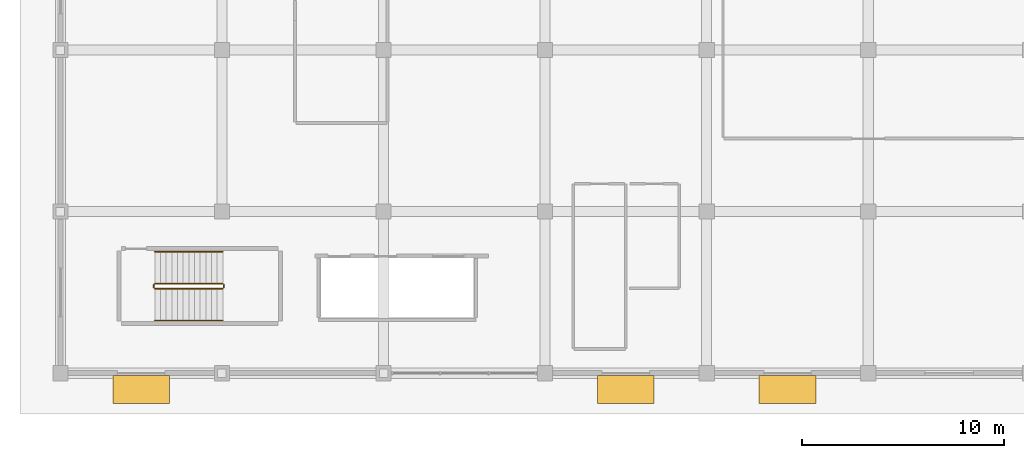
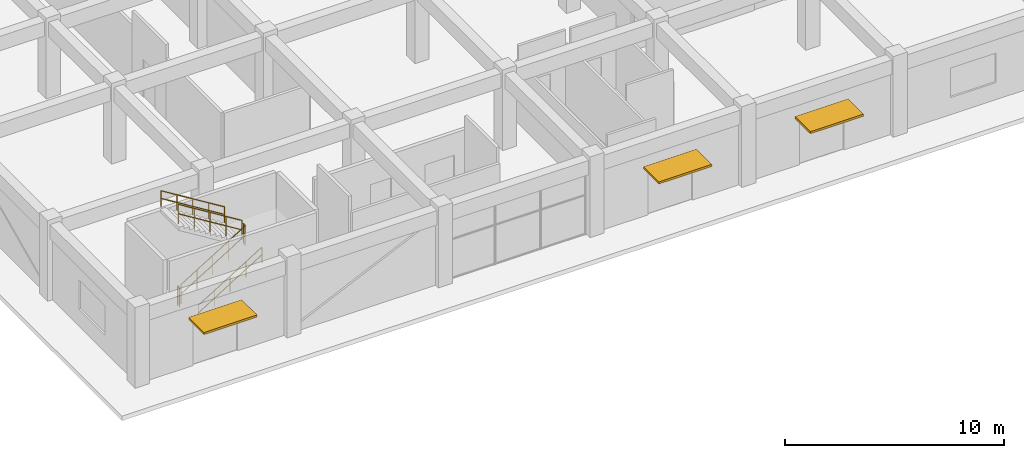
# One storey, part 33 of 40: 6 railings, 3 shading devices.
"""IFC4 building model written with IfcOpenShell, lengths in metres."""

from ifc_helpers import new_model, si_unit, direction, frame, origin, origin_2d, place, context, subcontext, project, spatial, polyline, rectangle, outline, extrude, source, transform, mapped, material, type_object, element, save


model = new_model("IFC4")

# Units and contexts
model_context = context("Model", 3, precision=1e-05, world=origin(), true_north=direction((0.0, 1.0)))
body_context = subcontext(model_context, "Body", "Model", "MODEL_VIEW")
ifc_project = project(units=[si_unit("LENGTHUNIT", "METRE"), si_unit("AREAUNIT", "SQUARE_METRE"), si_unit("VOLUMEUNIT", "CUBIC_METRE"), si_unit("PLANEANGLEUNIT", "RADIAN"), si_unit("MASSUNIT", "GRAM", prefix="KILO")], contexts=[model_context])

# Site, building, storey
site_placement = place(None, origin())
site = spatial("IfcSite", under=ifc_project, at=site_placement, CompositionType="ELEMENT")
building_placement = place(site_placement, origin())
building = spatial("IfcBuilding", under=site, at=building_placement, Name="Kelanora Arch Commons", CompositionType="ELEMENT")
storey_placement = place(building_placement, origin())
storey = spatial("IfcBuildingStorey", under=building, at=storey_placement, Name="L00", CompositionType="ELEMENT", Elevation=0.0)

# Railings
ifc_material_1 = material(Name="Painted steel stair well guard", Category="steel")
railing_type_1 = type_object("IfcRailingType", Name="RAIL-STAIR-GRD", PredefinedType="GUARDRAIL", material=ifc_material_1)
railing_1_placement = place(storey_placement, frame((8.679931640625, 8.18994140625, 0.173095703125)))
element("IfcRailing", 1, at=railing_1_placement, inside=storey, type_object=railing_type_1, Name="L00 ST-M1 stair guard 1", PredefinedType="GUARDRAIL", context=body_context, shape_type="SweptSolid", body=[
    extrude(outline(polyline([(0.02392578125, 0.0), (0.011962890625, 0.020751953125), (-0.011962890625, 0.020751953125), (-0.02392578125, 0.0), (-0.011962890625, -0.020751953125), (0.011962890625, -0.020751953125), (0.02392578125, 0.0)])), frame((0.0, 0.0, 1.076171875), z_axis=(0.850623216509, 0.0, 0.525775754039), x_axis=(0.0, 1.0, 0.0)), (0.0, 0.0, 1.0), 3.9501953125),
    extrude(outline(polyline([(0.02392578125, 0.0), (0.011962890625, 0.020751953125), (-0.011962890625, 0.020751953125), (-0.02392578125, 0.0), (-0.011962890625, -0.020751953125), (0.011962890625, -0.020751953125), (0.02392578125, 0.0)])), frame((0.0, 0.0, 0.550048828125), z_axis=(0.850623216509, 0.0, 0.525775754039), x_axis=(0.0, 1.0, 0.0)), (0.0, 0.0, 1.0), 3.9501953125),
    extrude(outline(polyline([(0.02099609375, 0.0), (0.010498046875, 0.01806640625), (-0.010498046875, 0.01806640625), (-0.02099609375, 0.0), (-0.010498046875, -0.01806640625), (0.010498046875, -0.01806640625), (0.02099609375, 0.0)])), origin(), (0.0, 0.0, 1.0), 1.052001953125),
    extrude(outline(polyline([(0.02099609375, 0.0), (0.010498046875, 0.01806640625), (-0.010498046875, 0.01806640625), (-0.02099609375, 0.0), (-0.010498046875, -0.01806640625), (0.010498046875, -0.01806640625), (0.02099609375, 0.0)])), frame((0.840087890625, 0.0, 0.519287109375)), (0.0, 0.0, 1.0), 1.052001953125),
    extrude(outline(polyline([(0.02099609375, 0.0), (0.010498046875, 0.01806640625), (-0.010498046875, 0.01806640625), (-0.02099609375, 0.0), (-0.010498046875, -0.01806640625), (0.010498046875, -0.01806640625), (0.02099609375, 0.0)])), frame((1.68017578125, 0.0, 1.03857421875)), (0.0, 0.0, 1.0), 1.052001953125),
    extrude(outline(polyline([(0.02099609375, 0.0), (0.010498046875, 0.01806640625), (-0.010498046875, 0.01806640625), (-0.02099609375, 0.0), (-0.010498046875, -0.01806640625), (0.010498046875, -0.01806640625), (0.02099609375, 0.0)])), frame((2.52001953125, 0.0, 1.5576171875)), (0.0, 0.0, 1.0), 1.052001953125),
    extrude(outline(polyline([(0.02099609375, 0.0), (0.010498046875, 0.01806640625), (-0.010498046875, 0.01806640625), (-0.02099609375, 0.0), (-0.010498046875, -0.01806640625), (0.010498046875, -0.01806640625), (0.02099609375, 0.0)])), frame((3.360107421875, 0.0, 2.076904296875)), (0.0, 0.0, 1.0), 1.052001953125),
])
railing_2_placement = place(storey_placement, frame((12.090087890625, 8.239990234375, 2.25)))
element("IfcRailing", 2, at=railing_2_placement, inside=storey, type_object=railing_type_1, Name="L00 ST-M1 stair guard 2", PredefinedType="GUARDRAIL", context=body_context, shape_type="SweptSolid", body=[
    extrude(outline(polyline([(0.02392578125, 0.0), (0.011962890625, 0.020751953125), (-0.011962890625, 0.020751953125), (-0.02392578125, 0.0), (-0.011962890625, -0.020751953125), (0.011962890625, -0.020751953125), (0.02392578125, 0.0)])), frame((0.0, 0.0, 1.076171875), z_axis=(0.0, 1.0, 0.0), x_axis=(-1.0, 0.0, 0.0)), (0.0, 0.0, 1.0), 0.14990234375),
    extrude(outline(polyline([(0.02392578125, 0.0), (0.011962890625, 0.020751953125), (-0.011962890625, 0.020751953125), (-0.02392578125, 0.0), (-0.011962890625, -0.020751953125), (0.011962890625, -0.020751953125), (0.02392578125, 0.0)])), frame((0.0, 0.0, 0.550048828125), z_axis=(0.0, 1.0, 0.0), x_axis=(-1.0, 0.0, 0.0)), (0.0, 0.0, 1.0), 0.14990234375),
    extrude(outline(polyline([(0.02099609375, 0.0), (0.010498046875, 0.01806640625), (-0.010498046875, 0.01806640625), (-0.02099609375, 0.0), (-0.010498046875, -0.01806640625), (0.010498046875, -0.01806640625), (0.02099609375, 0.0)])), origin(), (0.0, 0.0, 1.0), 1.052001953125),
    extrude(outline(polyline([(0.02099609375, 0.0), (0.010498046875, 0.01806640625), (-0.010498046875, 0.01806640625), (-0.02099609375, 0.0), (-0.010498046875, -0.01806640625), (0.010498046875, -0.01806640625), (0.02099609375, 0.0)])), frame((0.0, 0.14990234375, 0.0)), (0.0, 0.0, 1.0), 1.052001953125),
])
railing_3_placement = place(storey_placement, frame((12.0400390625, 8.43994140625, 2.423095703125)))
element("IfcRailing", 3, at=railing_3_placement, inside=storey, type_object=railing_type_1, Name="L00 ST-M1 stair guard 3", PredefinedType="GUARDRAIL", context=body_context, shape_type="SweptSolid", body=[
    extrude(outline(polyline([(0.02392578125, 0.0), (0.011962890625, 0.020751953125), (-0.011962890625, 0.020751953125), (-0.02392578125, 0.0), (-0.011962890625, -0.020751953125), (0.011962890625, -0.020751953125), (0.02392578125, 0.0)])), frame((0.0, 0.0, 1.076171875), z_axis=(-0.850623216509, 0.0, 0.525775754039), x_axis=(0.0, -1.0, 0.0)), (0.0, 0.0, 1.0), 3.9501953125),
    extrude(outline(polyline([(0.02392578125, 0.0), (0.011962890625, 0.020751953125), (-0.011962890625, 0.020751953125), (-0.02392578125, 0.0), (-0.011962890625, -0.020751953125), (0.011962890625, -0.020751953125), (0.02392578125, 0.0)])), frame((0.0, 0.0, 0.550048828125), z_axis=(-0.850623216509, 0.0, 0.525775754039), x_axis=(0.0, -1.0, 0.0)), (0.0, 0.0, 1.0), 3.9501953125),
    extrude(outline(polyline([(0.02099609375, 0.0), (0.010498046875, 0.01806640625), (-0.010498046875, 0.01806640625), (-0.02099609375, 0.0), (-0.010498046875, -0.01806640625), (0.010498046875, -0.01806640625), (0.02099609375, 0.0)])), origin(), (0.0, 0.0, 1.0), 1.052001953125),
    extrude(outline(polyline([(0.02099609375, 0.0), (0.010498046875, 0.01806640625), (-0.010498046875, 0.01806640625), (-0.02099609375, 0.0), (-0.010498046875, -0.01806640625), (0.010498046875, -0.01806640625), (0.02099609375, 0.0)])), frame((-0.840087890625, 0.0, 0.519287109375)), (0.0, 0.0, 1.0), 1.052001953125),
    extrude(outline(polyline([(0.02099609375, 0.0), (0.010498046875, 0.01806640625), (-0.010498046875, 0.01806640625), (-0.02099609375, 0.0), (-0.010498046875, -0.01806640625), (0.010498046875, -0.01806640625), (0.02099609375, 0.0)])), frame((-1.68017578125, 0.0, 1.03857421875)), (0.0, 0.0, 1.0), 1.052001953125),
    extrude(outline(polyline([(0.02099609375, 0.0), (0.010498046875, 0.01806640625), (-0.010498046875, 0.01806640625), (-0.02099609375, 0.0), (-0.010498046875, -0.01806640625), (0.010498046875, -0.01806640625), (0.02099609375, 0.0)])), frame((-2.52001953125, 0.0, 1.5576171875)), (0.0, 0.0, 1.0), 1.052001953125),
    extrude(outline(polyline([(0.02099609375, 0.0), (0.010498046875, 0.01806640625), (-0.010498046875, 0.01806640625), (-0.02099609375, 0.0), (-0.010498046875, -0.01806640625), (0.010498046875, -0.01806640625), (0.02099609375, 0.0)])), frame((-3.360107421875, 0.0, 2.076904296875)), (0.0, 0.0, 1.0), 1.052001953125),
])
railing_4_placement = place(storey_placement, frame((8.6298828125, 8.239990234375, 0.0)))
element("IfcRailing", 4, at=railing_4_placement, inside=storey, type_object=railing_type_1, Name="L00 ST-M1 stair guard 4", PredefinedType="GUARDRAIL", context=body_context, shape_type="SweptSolid", body=[
    extrude(outline(polyline([(0.02392578125, 0.0), (0.011962890625, 0.020751953125), (-0.011962890625, 0.020751953125), (-0.02392578125, 0.0), (-0.011962890625, -0.020751953125), (0.011962890625, -0.020751953125), (0.02392578125, 0.0)])), frame((0.0, 0.0, 1.076171875), z_axis=(0.0, 1.0, 0.0), x_axis=(-1.0, 0.0, 0.0)), (0.0, 0.0, 1.0), 0.14990234375),
    extrude(outline(polyline([(0.02392578125, 0.0), (0.011962890625, 0.020751953125), (-0.011962890625, 0.020751953125), (-0.02392578125, 0.0), (-0.011962890625, -0.020751953125), (0.011962890625, -0.020751953125), (0.02392578125, 0.0)])), frame((0.0, 0.0, 0.550048828125), z_axis=(0.0, 1.0, 0.0), x_axis=(-1.0, 0.0, 0.0)), (0.0, 0.0, 1.0), 0.14990234375),
    extrude(outline(polyline([(0.02099609375, 0.0), (0.010498046875, 0.01806640625), (-0.010498046875, 0.01806640625), (-0.02099609375, 0.0), (-0.010498046875, -0.01806640625), (0.010498046875, -0.01806640625), (0.02099609375, 0.0)])), origin(), (0.0, 0.0, 1.0), 1.052001953125),
    extrude(outline(polyline([(0.02099609375, 0.0), (0.010498046875, 0.01806640625), (-0.010498046875, 0.01806640625), (-0.02099609375, 0.0), (-0.010498046875, -0.01806640625), (0.010498046875, -0.01806640625), (0.02099609375, 0.0)])), frame((0.0, 0.14990234375, 0.0)), (0.0, 0.0, 1.0), 1.052001953125),
])
ifc_material_2 = material(Name="Brushed stainless steel stair handrail", Category="steel")
railing_type_2 = type_object("IfcRailingType", Name="RAIL-STAIR-HND", PredefinedType="HANDRAIL", material=ifc_material_2)
railing_5_placement = place(storey_placement, frame((8.679931640625, 6.610107421875, 0.173095703125)))
element("IfcRailing", 5, at=railing_5_placement, inside=storey, type_object=railing_type_2, Name="L00 ST-M1 stair handrail 1", PredefinedType="HANDRAIL", context=body_context, shape_type="SweptSolid", body=[
    extrude(outline(polyline([(0.02392578125, 0.0), (0.011962890625, 0.020751953125), (-0.011962890625, 0.020751953125), (-0.02392578125, 0.0), (-0.011962890625, -0.020751953125), (0.011962890625, -0.020751953125), (0.02392578125, 0.0)])), frame((0.0, 0.0, 0.8759765625), z_axis=(0.850623216509, 0.0, 0.525775754039), x_axis=(0.0, 1.0, 0.0)), (0.0, 0.0, 1.0), 3.9501953125),
    extrude(outline(polyline([(0.02392578125, 0.0), (0.011962890625, 0.020751953125), (-0.011962890625, 0.020751953125), (-0.02392578125, 0.0), (-0.011962890625, -0.020751953125), (0.011962890625, -0.020751953125), (0.02392578125, 0.0)])), frame((0.0, 0.0, 0.449951171875), z_axis=(0.850623216509, 0.0, 0.525775754039), x_axis=(0.0, 1.0, 0.0)), (0.0, 0.0, 1.0), 3.9501953125),
    extrude(outline(polyline([(0.02099609375, 0.0), (0.010498046875, 0.01806640625), (-0.010498046875, 0.01806640625), (-0.02099609375, 0.0), (-0.010498046875, -0.01806640625), (0.010498046875, -0.01806640625), (0.02099609375, 0.0)])), origin(), (0.0, 0.0, 1.0), 0.851806640625),
    extrude(outline(polyline([(0.02099609375, 0.0), (0.010498046875, 0.01806640625), (-0.010498046875, 0.01806640625), (-0.02099609375, 0.0), (-0.010498046875, -0.01806640625), (0.010498046875, -0.01806640625), (0.02099609375, 0.0)])), frame((0.840087890625, 0.0, 0.519287109375)), (0.0, 0.0, 1.0), 0.851806640625),
    extrude(outline(polyline([(0.02099609375, 0.0), (0.010498046875, 0.01806640625), (-0.010498046875, 0.01806640625), (-0.02099609375, 0.0), (-0.010498046875, -0.01806640625), (0.010498046875, -0.01806640625), (0.02099609375, 0.0)])), frame((1.68017578125, 0.0, 1.03857421875)), (0.0, 0.0, 1.0), 0.851806640625),
    extrude(outline(polyline([(0.02099609375, 0.0), (0.010498046875, 0.01806640625), (-0.010498046875, 0.01806640625), (-0.02099609375, 0.0), (-0.010498046875, -0.01806640625), (0.010498046875, -0.01806640625), (0.02099609375, 0.0)])), frame((2.52001953125, 0.0, 1.5576171875)), (0.0, 0.0, 1.0), 0.851806640625),
    extrude(outline(polyline([(0.02099609375, 0.0), (0.010498046875, 0.01806640625), (-0.010498046875, 0.01806640625), (-0.02099609375, 0.0), (-0.010498046875, -0.01806640625), (0.010498046875, -0.01806640625), (0.02099609375, 0.0)])), frame((3.360107421875, 0.0, 2.076904296875)), (0.0, 0.0, 1.0), 0.851806640625),
])
railing_6_placement = place(storey_placement, frame((12.0400390625, 10.02001953125, 2.423095703125)))
element("IfcRailing", 6, at=railing_6_placement, inside=storey, type_object=railing_type_2, Name="L00 ST-M1 stair handrail 2", PredefinedType="HANDRAIL", context=body_context, shape_type="SweptSolid", body=[
    extrude(outline(polyline([(0.02392578125, 0.0), (0.011962890625, 0.020751953125), (-0.011962890625, 0.020751953125), (-0.02392578125, 0.0), (-0.011962890625, -0.020751953125), (0.011962890625, -0.020751953125), (0.02392578125, 0.0)])), frame((0.0, 0.0, 0.8759765625), z_axis=(-0.850623216509, 0.0, 0.525775754039), x_axis=(0.0, -1.0, 0.0)), (0.0, 0.0, 1.0), 3.9501953125),
    extrude(outline(polyline([(0.02392578125, 0.0), (0.011962890625, 0.020751953125), (-0.011962890625, 0.020751953125), (-0.02392578125, 0.0), (-0.011962890625, -0.020751953125), (0.011962890625, -0.020751953125), (0.02392578125, 0.0)])), frame((0.0, 0.0, 0.449951171875), z_axis=(-0.850623216509, 0.0, 0.525775754039), x_axis=(0.0, -1.0, 0.0)), (0.0, 0.0, 1.0), 3.9501953125),
    extrude(outline(polyline([(0.02099609375, 0.0), (0.010498046875, 0.01806640625), (-0.010498046875, 0.01806640625), (-0.02099609375, 0.0), (-0.010498046875, -0.01806640625), (0.010498046875, -0.01806640625), (0.02099609375, 0.0)])), origin(), (0.0, 0.0, 1.0), 0.851806640625),
    extrude(outline(polyline([(0.02099609375, 0.0), (0.010498046875, 0.01806640625), (-0.010498046875, 0.01806640625), (-0.02099609375, 0.0), (-0.010498046875, -0.01806640625), (0.010498046875, -0.01806640625), (0.02099609375, 0.0)])), frame((-0.840087890625, 0.0, 0.519287109375)), (0.0, 0.0, 1.0), 0.851806640625),
    extrude(outline(polyline([(0.02099609375, 0.0), (0.010498046875, 0.01806640625), (-0.010498046875, 0.01806640625), (-0.02099609375, 0.0), (-0.010498046875, -0.01806640625), (0.010498046875, -0.01806640625), (0.02099609375, 0.0)])), frame((-1.68017578125, 0.0, 1.03857421875)), (0.0, 0.0, 1.0), 0.851806640625),
    extrude(outline(polyline([(0.02099609375, 0.0), (0.010498046875, 0.01806640625), (-0.010498046875, 0.01806640625), (-0.02099609375, 0.0), (-0.010498046875, -0.01806640625), (0.010498046875, -0.01806640625), (0.02099609375, 0.0)])), frame((-2.52001953125, 0.0, 1.5576171875)), (0.0, 0.0, 1.0), 0.851806640625),
    extrude(outline(polyline([(0.02099609375, 0.0), (0.010498046875, 0.01806640625), (-0.010498046875, 0.01806640625), (-0.02099609375, 0.0), (-0.010498046875, -0.01806640625), (0.010498046875, -0.01806640625), (0.02099609375, 0.0)])), frame((-3.360107421875, 0.0, 2.076904296875)), (0.0, 0.0, 1.0), 0.851806640625),
])

# Shading devices
ifc_material_3 = material(Name="Terracotta-bronze aluminium monsoon canopy louvre", Category="masonry")
shading_device_type = type_object("IfcShadingDeviceType", Name="SHD-SUN-MKT", PredefinedType="AWNING", material=ifc_material_3)
shared_shape = source(origin(), body_context, "Body", "SweptSolid", [
    extrude(rectangle(XDim=2.800048828125, YDim=1.39990234375, at=origin_2d()), origin(), (0.0, 0.0, 1.0), 0.1201171875),
])
for number, where, z_axis, x_axis, name in (
    (7, (8.0, 3.18994140625, 2.639892578125), (0.0, 0.0, 1.0), (1.0, 0.0, 0.0), "Market Entrance Monsoon Canopy 00"),
    (8, (32.0, 3.18994140625, 2.639892578125), (0.0, 0.0, 1.0), (1.0, 0.0, 0.0), "Market Entrance Monsoon Canopy 03"),
    (9, (40.0, 3.18994140625, 2.639892578125), (0.0, 0.0, 1.0), (1.0, 0.0, 0.0), "Market Entrance Monsoon Canopy 04"),
):
    element("IfcShadingDevice", number, at=place(storey_placement, frame(where, z_axis=z_axis, x_axis=x_axis)), inside=storey, type_object=shading_device_type, Name=name, PredefinedType="AWNING", context=body_context, shape_type="MappedRepresentation", body=[
        mapped(shared_shape, transform((0.0, 0.0, 0.0), scale=1.0)),
    ])

save(model, "model.ifc")
